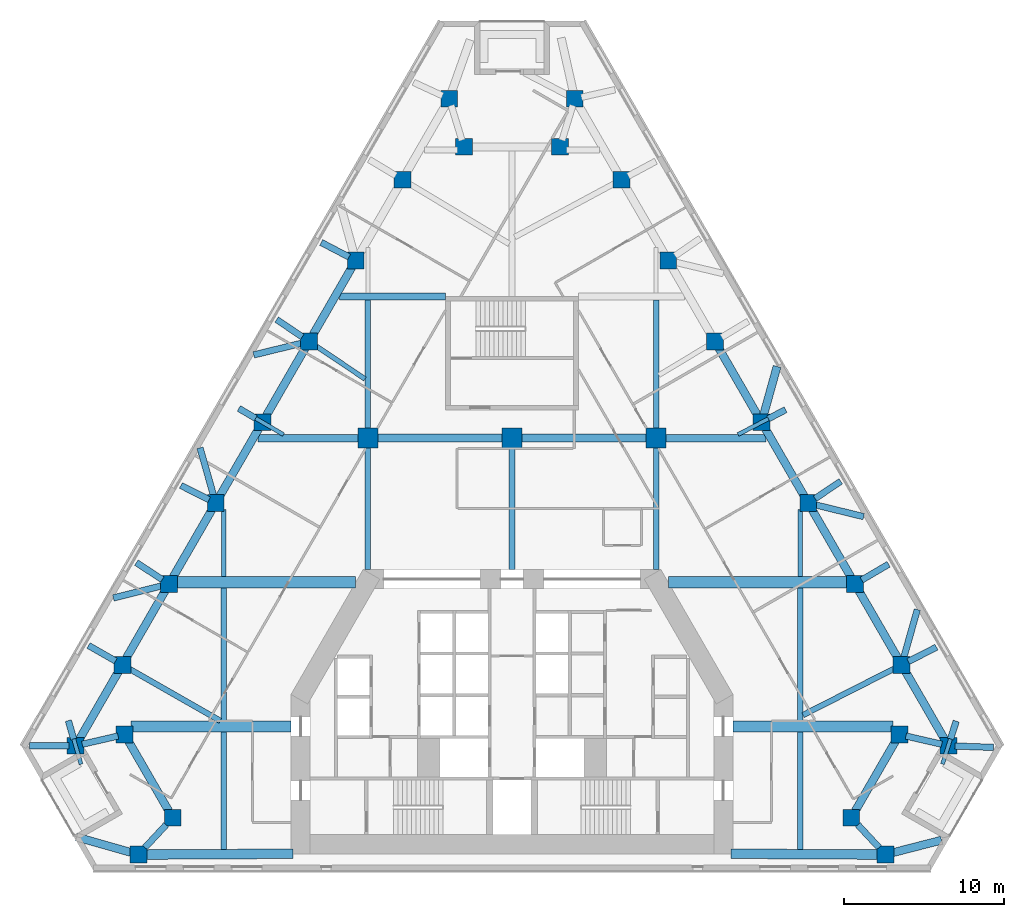
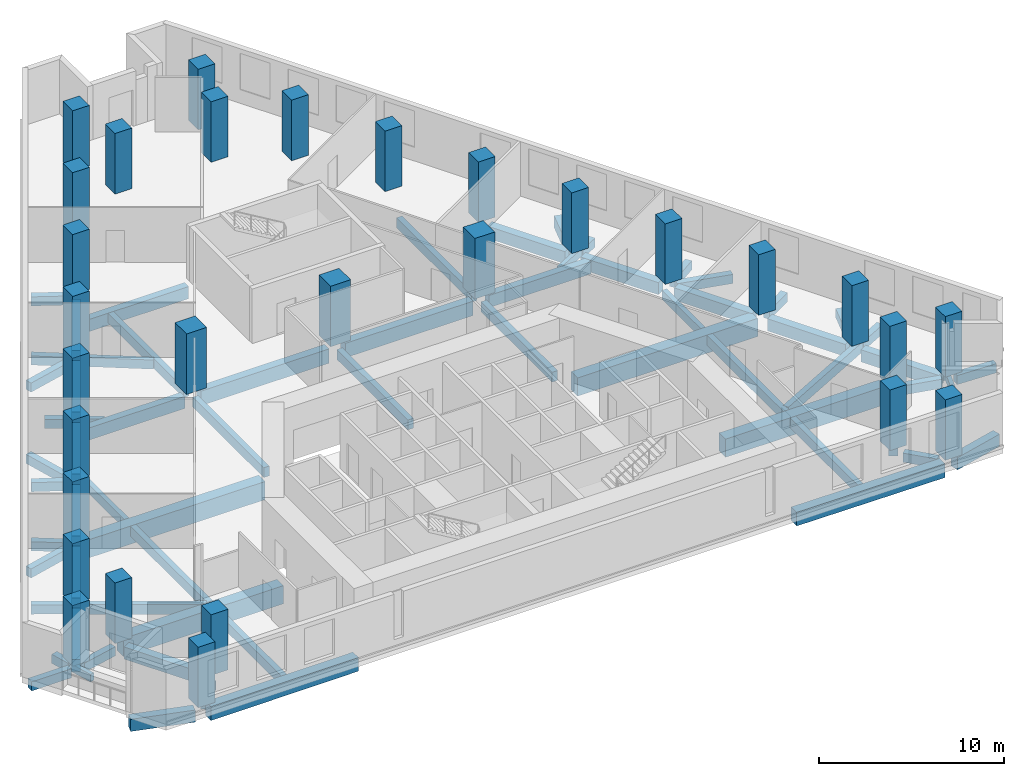
# One storey, part 1 of 9: 68 beams, 29 columns.
"""IFC4 building model written with IfcOpenShell, lengths in metres."""

import ifcopenshell
import ifcopenshell.guid

model = None  # the IFC model being written
_history = None  # IfcOwnerHistory: only IFC2X3 demands one
_inside = {}  # id of a spatial element -> (the spatial element, [elements in it])
_under = {}  # id of a project, library or spatial element -> (it, [spatial elements below it])
_declared = {}  # id of a project -> (the project, [libraries it declares])
_typed = {}  # id of a type object -> (the type object, [elements of that type])
_made_of = {}  # id of a material, layer set ... -> (it, [elements and type objects made of it])


def new_model(schema):
    """Start an empty IFC model of exactly this schema.

    Asked for "IFC4X3", IfcOpenShell would pick the latest addendum, in which some entities
    have other attributes; the version numbers below select the first issue.
    IFC2X3 requires an IfcOwnerHistory on every rooted entity: one is made here for all.
    """
    global model, _history
    if schema == "IFC4X3":
        model = ifcopenshell.file(schema_version=(4, 3, 0, 0))
    else:
        model = ifcopenshell.file(schema=schema)
    _inside.clear()
    _under.clear()
    _declared.clear()
    _typed.clear()
    _made_of.clear()
    _history = None
    if model.schema == "IFC2X3":
        org = make("IfcOrganization", Name="unknown")
        user = make(
            "IfcPersonAndOrganization",
            ThePerson=make("IfcPerson", FamilyName="unknown"),
            TheOrganization=org,
        )
        app = make(
            "IfcApplication",
            ApplicationDeveloper=org,
            Version="unknown",
            ApplicationFullName="unknown",
            ApplicationIdentifier="unknown",
        )
        _history = make(
            "IfcOwnerHistory",
            OwningUser=user,
            OwningApplication=app,
            ChangeAction="ADDED",
            CreationDate=0,
        )
    return model


def make(cls, **values):
    """One entity of the class cls with the attributes given. An attribute that is None is left unset."""
    return model.create_entity(
        cls, **{name: value for name, value in values.items() if value is not None}
    )


def rooted(cls, **values):
    """An entity with a GlobalId (a new one), such as an element, a storey or a relation."""
    return make(cls, GlobalId=ifcopenshell.guid.new(), OwnerHistory=_history, **values)


def si_unit(unit_type, name, prefix=None):
    """IfcSIUnit, for example si_unit("LENGTHUNIT", "METRE", prefix="MILLI")."""
    return make("IfcSIUnit", UnitType=unit_type, Prefix=prefix, Name=name)


def assignment(units):
    """IfcUnitAssignment: the units of a project."""
    return None if units is None else make("IfcUnitAssignment", Units=units)


def point(xyz):
    """IfcCartesianPoint."""
    return None if xyz is None else make("IfcCartesianPoint", Coordinates=xyz)


def direction(xyz):
    """IfcDirection."""
    return None if xyz is None else make("IfcDirection", DirectionRatios=xyz)


def frame(location, z_axis=None, x_axis=None):
    """IfcAxis2Placement3D, a coordinate frame: its origin and axes. An axis left out is left unset."""
    return make(
        "IfcAxis2Placement3D",
        Location=point(location),
        Axis=direction(z_axis),
        RefDirection=direction(x_axis),
    )


def frame_2d(location, x_axis=None):
    """IfcAxis2Placement2D, a coordinate frame in the plane: its origin and x axis."""
    return make(
        "IfcAxis2Placement2D", Location=point(location), RefDirection=direction(x_axis)
    )


def origin():
    """The frame at (0, 0, 0) with its axes left unset."""
    return frame((0.0, 0.0, 0.0))


def origin_2d():
    """The frame at (0, 0) in the plane with its x axis left unset."""
    return frame_2d((0.0, 0.0))


def place(relative_to, where):
    """IfcLocalPlacement: puts the frame where relative to a parent placement (None: the world)."""
    return make(
        "IfcLocalPlacement", PlacementRelTo=relative_to, RelativePlacement=where
    )


def context(
    kind, dimensions, precision=None, world=None, true_north=None, identifier=None
):
    """IfcGeometricRepresentationContext, for example the 3D "Model" context."""
    return make(
        "IfcGeometricRepresentationContext",
        ContextIdentifier=identifier,
        ContextType=kind,
        CoordinateSpaceDimension=dimensions,
        Precision=precision,
        WorldCoordinateSystem=world,
        TrueNorth=true_north,
    )


def subcontext(parent, identifier, kind, view, scale=None):
    """IfcGeometricRepresentationSubContext, for example "Body" below "Model"."""
    return make(
        "IfcGeometricRepresentationSubContext",
        ContextIdentifier=identifier,
        ContextType=kind,
        ParentContext=parent,
        TargetScale=scale,
        TargetView=view,
    )


def project(units=None, contexts=None):
    """IfcProject with its units and contexts."""
    return rooted(
        "IfcProject",
        Name="project",
        RepresentationContexts=contexts,
        UnitsInContext=assignment(units),
    )


def spatial(cls, under=None, at=None, **own):
    """A site, building, storey or space (cls), placed at a placement, below another one or the project."""
    s = rooted(cls, ObjectPlacement=at, **own)
    if under is not None:
        _under.setdefault(under.id(), (under, []))[1].append(s)
    return s


def profile(cls, at=None, kind="AREA", **sizes):
    """A parametric profile (cls). Its sizes go by their IFC names, for example OverallWidth=200.0."""
    return make(cls, ProfileType=kind, Position=at, **sizes)


def rectangle(**sizes):
    """IfcRectangleProfileDef."""
    return profile("IfcRectangleProfileDef", **sizes)


def extrude(swept, where, along, depth):
    """IfcExtrudedAreaSolid: the profile swept, set in the frame where, extruded along a direction by depth."""
    return make(
        "IfcExtrudedAreaSolid",
        SweptArea=swept,
        Position=where,
        ExtrudedDirection=direction(along),
        Depth=depth,
    )


def shape(context_of_items, identifier, shape_type, items):
    """IfcShapeRepresentation: the items that make up one representation, for example the "Body"."""
    return make(
        "IfcShapeRepresentation",
        ContextOfItems=context_of_items,
        RepresentationIdentifier=identifier,
        RepresentationType=shape_type,
        Items=items,
    )


def material(Name=None, Category=None):
    """IfcMaterial."""
    return make("IfcMaterial", Name=Name, Category=Category)


def material_profile(
    of_material, cross_section, Name=None, Category=None, Priority=None
):
    """IfcMaterialProfile: a cross section and its material."""
    return make(
        "IfcMaterialProfile",
        Name=Name,
        Material=of_material,
        Profile=cross_section,
        Priority=Priority,
        Category=Category,
    )


def profile_set(profiles, Name=None, composite=None):
    """IfcMaterialProfileSet."""
    return make(
        "IfcMaterialProfileSet",
        Name=Name,
        MaterialProfiles=profiles,
        CompositeProfile=composite,
    )


def made_of(thing, what):
    """Note that an element or type object is made of a material, layer set ...; save() writes the relation."""
    if what is not None:
        _made_of.setdefault(what.id(), (what, []))[1].append(thing)
    return thing


def type_object(cls, material=None, **own):
    """A type object (cls), such as IfcWallType, which elements share."""
    return made_of(rooted(cls, **own), material)


def element(
    cls,
    number,
    at=None,
    inside=None,
    cuts=None,
    type_object=None,
    material=None,
    context=None,
    identifier="Body",
    shape_type=None,
    held_by="IfcProductDefinitionShape",
    body=None,
    shapes=None,
    **own,
):
    """One element of the class cls, such as IfcWall. Its Tag is "e" and its number.

    at: its placement. inside: the storey or other place that contains it. cuts: it is an
    opening in that element (IfcRelVoidsElement). A single representation is given by context,
    identifier, shape_type and body (its items); several are given by shapes. held_by: the class
    of the entity that holds the representations. save() writes the other relations.
    """
    e = rooted(cls, Tag="e%d" % number, ObjectPlacement=at, **own)
    if body is not None:
        shapes = [shape(context, identifier, shape_type, body)]
    if shapes is not None:
        e.Representation = make(held_by, Representations=shapes)
    if inside is not None:
        _inside.setdefault(inside.id(), (inside, []))[1].append(e)
    if cuts is not None:
        rooted(
            "IfcRelVoidsElement", RelatingBuildingElement=cuts, RelatedOpeningElement=e
        )
    if type_object is not None:
        _typed.setdefault(type_object.id(), (type_object, []))[1].append(e)
    return made_of(e, material)


def aggregate(whole, parts):
    """IfcRelAggregates: a whole, such as a stair, and the parts it consists of."""
    return rooted("IfcRelAggregates", RelatingObject=whole, RelatedObjects=parts)


def save(model, path):
    """Write the relations noted so far, then the file.

    IfcRelAggregates (storeys below a building ...), IfcRelContainedInSpatialStructure (elements
    in a storey), IfcRelDefinesByType, IfcRelAssociatesMaterial and IfcRelDeclares: one each for
    every whole, place, type object, material and project.
    """
    for whole, parts in _under.values():
        aggregate(whole, parts)
    for where, things in _inside.values():
        rooted(
            "IfcRelContainedInSpatialStructure",
            RelatedElements=things,
            RelatingStructure=where,
        )
    for kind, things in _typed.values():
        rooted("IfcRelDefinesByType", RelatedObjects=things, RelatingType=kind)
    for what, things in _made_of.values():
        rooted("IfcRelAssociatesMaterial", RelatedObjects=things, RelatingMaterial=what)
    for by, libraries in _declared.values():
        rooted("IfcRelDeclares", RelatingContext=by, RelatedDefinitions=libraries)
    model.write(path)


model = new_model("IFC4")

# Units and contexts
model_context = context("Model", 3, precision=1e-05, world=origin(), true_north=direction((0.0, 1.0)))
body_context = subcontext(model_context, "Body", "Model", "MODEL_VIEW")
ifc_project = project(units=[si_unit("LENGTHUNIT", "METRE"), si_unit("AREAUNIT", "SQUARE_METRE"), si_unit("VOLUMEUNIT", "CUBIC_METRE"), si_unit("PLANEANGLEUNIT", "RADIAN"), si_unit("MASSUNIT", "GRAM", prefix="KILO")], contexts=[model_context])

# Site, building, storey
site_placement = place(None, origin())
site = spatial("IfcSite", under=ifc_project, at=site_placement, CompositionType="ELEMENT")
building_placement = place(site_placement, origin())
building = spatial("IfcBuilding", under=site, at=building_placement, Name="Fogline Exchange Tower", CompositionType="ELEMENT")
storey_placement = place(building_placement, frame((0.0, 0.0, 100.10009765625)))
storey = spatial("IfcBuildingStorey", under=building, at=storey_placement, Name="L21", CompositionType="ELEMENT", Elevation=100.10009765625)

# Columns
ifc_material_1 = material(Name="Concrete C70", Category="concrete")
ifc_material_profile_1 = material_profile(ifc_material_1, rectangle(XDim=1.25, YDim=1.25, at=origin_2d()), Name="RC 1250x1250")
ifc_profile_set_1 = profile_set([ifc_material_profile_1], Name="Concrete C70")
column_type_1 = type_object("IfcColumnType", Name="C03", PredefinedType="COLUMN", material=ifc_profile_set_1)
for number, where, z_axis, x_axis, name in (
    (1, (-9.0, 27.0, 0.0), (0.0, 0.0, 1.0), (1.0, 0.0, 0.0), "IC--9-27"),
    (2, (0.0, 27.0, 0.0), (0.0, 0.0, 1.0), (1.0, 0.0, 0.0), "IC-0-27"),
    (3, (9.0, 27.0, 0.0), (0.0, 0.0, 1.0), (1.0, 0.0, 0.0), "IC-9-27"),
):
    element("IfcColumn", number, at=place(storey_placement, frame(where, z_axis=z_axis, x_axis=x_axis)), inside=storey, type_object=column_type_1, Name=name, PredefinedType="COLUMN", context=body_context, shape_type="SweptSolid", body=[
        extrude(rectangle(XDim=1.25, YDim=1.25, at=origin_2d()), origin(), (0.0, 0.0, 1.0), 4.0),
    ])
ifc_material_profile_2 = material_profile(ifc_material_1, rectangle(XDim=1.050048828125, YDim=1.050048828125, at=origin_2d()), Name="RC 1050x1050")
ifc_profile_set_2 = profile_set([ifc_material_profile_2], Name="Concrete C70")
column_type_2 = type_object("IfcColumnType", Name="C04", PredefinedType="COLUMN", material=ifc_profile_set_2)
for number, where, z_axis, x_axis, name in (
    (4, (-27.2490234375, 7.794189453125, 0.0), (0.0, 0.0, 1.0), (1.0, 0.0, 0.0), "SW-a"),
    (5, (-24.189697265625, 8.4951171875, 0.0), (0.0, 0.0, 1.0), (1.0, 0.0, 0.0), "SW-p4"),
    (6, (-21.189697265625, 3.299072265625, 0.0), (0.0, 0.0, 1.0), (1.0, 0.0, 0.0), "SW-p3"),
    (7, (-23.326416015625, 1.0, 0.0), (0.0, 0.0, 1.0), (1.0, 0.0, 0.0), "SW-b"),
    (8, (23.326416015625, 1.0, 0.0), (0.0, 0.0, 1.0), (1.0, 0.0, 0.0), "SE-a"),
    (9, (21.189697265625, 3.299072265625, 0.0), (0.0, 0.0, 1.0), (1.0, 0.0, 0.0), "SE-p4"),
    (10, (24.189697265625, 8.4951171875, 0.0), (0.0, 0.0, 1.0), (1.0, 0.0, 0.0), "SE-p3"),
    (11, (27.2490234375, 7.794189453125, 0.0), (0.0, 0.0, 1.0), (1.0, 0.0, 0.0), "SE-b"),
    (12, (24.333251953125, 12.844482421875, 0.0), (0.0, 0.0, 1.0), (1.0, 0.0, 0.0), "E1"),
    (13, (21.41748046875, 17.894775390625, 0.0), (0.0, 0.0, 1.0), (1.0, 0.0, 0.0), "E2"),
    (14, (18.501708984375, 22.945068359375, 0.0), (0.0, 0.0, 1.0), (1.0, 0.0, 0.0), "E3"),
    (15, (15.585693359375, 27.995361328125, 0.0), (0.0, 0.0, 1.0), (1.0, 0.0, 0.0), "E4"),
    (16, (12.669921875, 33.045654296875, 0.0), (0.0, 0.0, 1.0), (1.0, 0.0, 0.0), "E5"),
    (17, (9.754150390625, 38.095947265625, 0.0), (0.0, 0.0, 1.0), (1.0, 0.0, 0.0), "E6"),
    (18, (6.83837890625, 43.146240234375, 0.0), (0.0, 0.0, 1.0), (1.0, 0.0, 0.0), "E7"),
    (19, (3.922607421875, 48.19677734375, 0.0), (0.0, 0.0, 1.0), (1.0, 0.0, 0.0), "N-a"),
    (20, (3.0, 45.19677734375, 0.0), (0.0, 0.0, 1.0), (1.0, 0.0, 0.0), "N-p4"),
    (21, (-3.0, 45.19677734375, 0.0), (0.0, 0.0, 1.0), (1.0, 0.0, 0.0), "N-p3"),
    (22, (-3.922607421875, 48.19677734375, 0.0), (0.0, 0.0, 1.0), (1.0, 0.0, 0.0), "N-b"),
    (23, (-6.83837890625, 43.146240234375, 0.0), (0.0, 0.0, 1.0), (1.0, 0.0, 0.0), "W1"),
    (24, (-9.754150390625, 38.095947265625, 0.0), (0.0, 0.0, 1.0), (1.0, 0.0, 0.0), "W2"),
    (25, (-12.669921875, 33.045654296875, 0.0), (0.0, 0.0, 1.0), (1.0, 0.0, 0.0), "W3"),
    (26, (-15.585693359375, 27.995361328125, 0.0), (0.0, 0.0, 1.0), (1.0, 0.0, 0.0), "W4"),
    (27, (-18.501708984375, 22.945068359375, 0.0), (0.0, 0.0, 1.0), (1.0, 0.0, 0.0), "W5"),
    (28, (-21.41748046875, 17.894775390625, 0.0), (0.0, 0.0, 1.0), (1.0, 0.0, 0.0), "W6"),
    (29, (-24.333251953125, 12.844482421875, 0.0), (0.0, 0.0, 1.0), (1.0, 0.0, 0.0), "W7"),
):
    element("IfcColumn", number, at=place(storey_placement, frame(where, z_axis=z_axis, x_axis=x_axis)), inside=storey, type_object=column_type_2, Name=name, PredefinedType="COLUMN", context=body_context, shape_type="SweptSolid", body=[
        extrude(rectangle(XDim=1.050048828125, YDim=1.050048828125, at=origin_2d()), origin(), (0.0, 0.0, 1.0), 4.0),
    ])

# Beams
ifc_material_2 = material(Name="Concrete C40", Category="concrete")
ifc_material_profile_3 = material_profile(ifc_material_2, rectangle(XDim=0.300048828125, YDim=0.60009765625, at=origin_2d()), Name="RC 300x600")
ifc_profile_set_3 = profile_set([ifc_material_profile_3], Name="Concrete C40")
beam_type_1 = type_object("IfcBeamType", Name="B06", PredefinedType="BEAM", material=ifc_profile_set_3)
for number, where, z_axis, x_axis, name in (
    (30, (-18.0, 18.35009765625, -0.7001953125), (0.0, 1.0, 0.0), (-1.0, 0.0, 0.0), "SB003"),
    (31, (18.0, 18.35009765625, -0.7001953125), (0.0, 1.0, 0.0), (-1.0, 0.0, 0.0), "SB014"),
):
    element("IfcBeam", number, at=place(storey_placement, frame(where, z_axis=z_axis, x_axis=x_axis)), inside=storey, type_object=beam_type_1, Name=name, PredefinedType="BEAM", context=body_context, shape_type="SweptSolid", body=[
        extrude(rectangle(XDim=0.300048828125, YDim=0.60009765625, at=origin_2d()), origin(), (0.0, 0.0, 1.0), 4.18994140625),
    ])
beam_1_placement = place(storey_placement, frame((-13.195068359375, 33.39794921875, -0.7001953125), z_axis=(0.830401800017, -0.557165011939, 0.0), x_axis=(0.557165011939, 0.830401800017, 0.0)))
element("IfcBeam", 32, at=beam_1_placement, inside=storey, type_object=beam_type_1, Name="SK022", PredefinedType="BEAM", context=body_context, shape_type="SweptSolid", body=[
    extrude(rectangle(XDim=0.300048828125, YDim=0.60009765625, at=origin_2d()), origin(), (0.0, 0.0, 1.0), 4.841064453125),
])
ifc_material_profile_4 = material_profile(ifc_material_2, rectangle(XDim=0.25, YDim=0.5, at=origin_2d()), Name="RC 250x500")
ifc_profile_set_4 = profile_set([ifc_material_profile_4], Name="Concrete C40")
beam_type_2 = type_object("IfcBeamType", Name="B08", PredefinedType="BEAM", material=ifc_profile_set_4)
beam_2_placement = place(storey_placement, frame((-16.11083984375, 28.30322265625, -0.650146484375), z_axis=(0.8626635068, -0.505778285453, 0.0), x_axis=(0.505778285453, 0.8626635068, 0.0)))
element("IfcBeam", 33, at=beam_2_placement, inside=storey, type_object=beam_type_2, Name="SK016", PredefinedType="BEAM", context=body_context, shape_type="SweptSolid", body=[
    extrude(rectangle(XDim=0.25, YDim=0.5, at=origin_2d()), origin(), (0.0, 0.0, 1.0), 2.131591796875),
])
beam_3_placement = place(storey_placement, frame((16.11083984375, 28.27001953125, -0.650146484375), z_axis=(-0.886159772529, -0.463379819966, 0.0), x_axis=(0.463379819966, -0.886159772529, 0.0)))
element("IfcBeam", 34, at=beam_3_placement, inside=storey, type_object=beam_type_2, Name="SK020", PredefinedType="BEAM", context=body_context, shape_type="SweptSolid", body=[
    extrude(rectangle(XDim=0.25, YDim=0.5, at=origin_2d()), origin(), (0.0, 0.0, 1.0), 2.2548828125),
])
beam_4_placement = place(storey_placement, frame((-27.372314453125, 8.218505859375, -0.650146484375), z_axis=(0.279229948212, -0.9602242634, 0.0), x_axis=(0.9602242634, 0.279229948212, 0.0)))
element("IfcBeam", 35, at=beam_4_placement, inside=storey, type_object=beam_type_2, Name="SK023", PredefinedType="BEAM", context=body_context, shape_type="SweptSolid", body=[
    extrude(rectangle(XDim=0.25, YDim=0.5, at=origin_2d()), origin(), (0.0, 0.0, 1.0), 1.643798828125),
])
beam_5_placement = place(storey_placement, frame((27.385009765625, 8.220703125, -0.650146484375), z_axis=(-0.304008781424, -0.95266922949, 0.0), x_axis=(0.95266922949, -0.304008781424, 0.0)))
element("IfcBeam", 36, at=beam_5_placement, inside=storey, type_object=beam_type_2, Name="SK024", PredefinedType="BEAM", context=body_context, shape_type="SweptSolid", body=[
    extrude(rectangle(XDim=0.25, YDim=0.5, at=origin_2d()), origin(), (0.0, 0.0, 1.0), 1.65185546875),
])
ifc_material_profile_5 = material_profile(ifc_material_2, rectangle(XDim=0.60009765625, YDim=0.89990234375, at=origin_2d()), Name="RC 600x900")
ifc_profile_set_5 = profile_set([ifc_material_profile_5], Name="Concrete C40")
beam_type_3 = type_object("IfcBeamType", Name="B09", PredefinedType="BEAM", material=ifc_profile_set_5)
for number, where, z_axis, x_axis, name in (
    (37, (-22.92138671875, 0.998779296875, -0.85009765625), (0.999984168638, 0.005626941799, 0.0), (-0.005626941799, 0.999984168638, 0.0), "RB004"),
    (38, (13.679931640625, 1.05078125, -0.85009765625), (0.999984464538, -0.005574108314, 0.0), (0.005574108314, 0.999984464538, 0.0), "RB005"),
):
    element("IfcBeam", number, at=place(storey_placement, frame(where, z_axis=z_axis, x_axis=x_axis)), inside=storey, type_object=beam_type_3, Name=name, PredefinedType="BEAM", context=body_context, shape_type="SweptSolid", body=[
        extrude(rectangle(XDim=0.60009765625, YDim=0.89990234375, at=origin_2d()), origin(), (0.0, 0.0, 1.0), 9.24169921875),
    ])
ifc_material_profile_6 = material_profile(ifc_material_2, rectangle(XDim=0.5, YDim=0.800048828125, at=origin_2d()), Name="RC 500x800")
ifc_profile_set_6 = profile_set([ifc_material_profile_6], Name="Concrete C40")
beam_type_4 = type_object("IfcBeamType", Name="B10", PredefinedType="BEAM", material=ifc_profile_set_6)
for number, where, z_axis, x_axis, name in (
    (39, (-23.946533203125, 8.07421875, -0.800048828125), (0.500019495363, -0.866014147839, 0.0), (0.866014147839, 0.500019495363, 0.0), "RB002"),
    (40, (21.4326171875, 3.72021484375, -0.800048828125), (0.500019495363, 0.866014147839, 0.0), (-0.866014147839, 0.500019495363, 0.0), "RB007"),
):
    element("IfcBeam", number, at=place(storey_placement, frame(where, z_axis=z_axis, x_axis=x_axis)), inside=storey, type_object=beam_type_4, Name=name, PredefinedType="BEAM", context=body_context, shape_type="SweptSolid", body=[
        extrude(rectangle(XDim=0.5, YDim=0.800048828125, at=origin_2d()), origin(), (0.0, 0.0, 1.0), 5.027587890625),
    ])
beam_6_placement = place(storey_placement, frame((27.005859375, 8.21533203125, -0.800048828125), z_axis=(-0.499970359091, 0.866042516295, 0.0), x_axis=(-0.866042516295, -0.499970359091, 0.0)))
element("IfcBeam", 41, at=beam_6_placement, inside=storey, type_object=beam_type_4, Name="RB009", PredefinedType="BEAM", context=body_context, shape_type="SweptSolid", body=[
    extrude(rectangle(XDim=0.5, YDim=0.800048828125, at=origin_2d()), origin(), (0.0, 0.0, 1.0), 4.859130859375),
])
for number, where, z_axis, x_axis, name in (
    (42, (24.090087890625, 13.265625, -0.800048828125), (-0.500008041581, 0.866020760926, 0.0), (-0.866020760926, -0.500008041581, 0.0), "RB010"),
    (43, (21.17431640625, 18.31591796875, -0.800048828125), (-0.500008041581, 0.866020760926, 0.0), (-0.866020760926, -0.500008041581, 0.0), "RB011"),
    (44, (18.258544921875, 23.3662109375, -0.800048828125), (-0.500008041581, 0.866020760926, 0.0), (-0.866020760926, -0.500008041581, 0.0), "RB012"),
    (45, (15.3427734375, 28.41650390625, -0.800048828125), (-0.500008041581, 0.866020760926, 0.0), (-0.866020760926, -0.500008041581, 0.0), "RB013"),
    (46, (-9.997314453125, 37.675048828125, -0.800048828125), (-0.500008041581, -0.866020760926, 0.0), (0.866020760926, -0.500008041581, 0.0), "RB022"),
    (47, (-12.9130859375, 32.624755859375, -0.800048828125), (-0.500008041581, -0.866020760926, 0.0), (0.866020760926, -0.500008041581, 0.0), "RB023"),
    (48, (-15.828857421875, 27.574462890625, -0.800048828125), (-0.500008041581, -0.866020760926, 0.0), (0.866020760926, -0.500008041581, 0.0), "RB024"),
    (49, (-18.74462890625, 22.524169921875, -0.800048828125), (-0.500008041581, -0.866020760926, 0.0), (0.866020760926, -0.500008041581, 0.0), "RB025"),
    (50, (-21.660400390625, 17.473876953125, -0.800048828125), (-0.500008041581, -0.866020760926, 0.0), (0.866020760926, -0.500008041581, 0.0), "RB026"),
):
    element("IfcBeam", number, at=place(storey_placement, frame(where, z_axis=z_axis, x_axis=x_axis)), inside=storey, type_object=beam_type_4, Name=name, PredefinedType="BEAM", context=body_context, shape_type="SweptSolid", body=[
        extrude(rectangle(XDim=0.5, YDim=0.800048828125, at=origin_2d()), origin(), (0.0, 0.0, 1.0), 4.859375),
    ])
beam_7_placement = place(storey_placement, frame((-24.576416015625, 12.423583984375, -0.800048828125), z_axis=(-0.499970359091, -0.866042516295, 0.0), x_axis=(0.866042516295, -0.499970359091, 0.0)))
element("IfcBeam", 51, at=beam_7_placement, inside=storey, type_object=beam_type_4, Name="RB027", PredefinedType="BEAM", context=body_context, shape_type="SweptSolid", body=[
    extrude(rectangle(XDim=0.5, YDim=0.800048828125, at=origin_2d()), origin(), (0.0, 0.0, 1.0), 4.859130859375),
])
beam_8_placement = place(storey_placement, frame((-23.73583984375, 1.115966796875, -0.800048828125), z_axis=(-0.962158744205, 0.272489542828, 0.0), x_axis=(-0.272489542828, -0.962158744205, 0.0)))
element("IfcBeam", 52, at=beam_8_placement, inside=storey, type_object=beam_type_4, Name="SP030", PredefinedType="BEAM", context=body_context, shape_type="SweptSolid", body=[
    extrude(rectangle(XDim=0.5, YDim=0.800048828125, at=origin_2d()), origin(), (0.0, 0.0, 1.0), 3.59912109375),
])
beam_9_placement = place(storey_placement, frame((23.735107421875, 1.105224609375, -0.800048828125), z_axis=(0.968471290959, 0.24912518658, 0.0), x_axis=(-0.24912518658, 0.968471290959, 0.0)))
element("IfcBeam", 53, at=beam_9_placement, inside=storey, type_object=beam_type_4, Name="SP031", PredefinedType="BEAM", context=body_context, shape_type="SweptSolid", body=[
    extrude(rectangle(XDim=0.5, YDim=0.800048828125, at=origin_2d()), origin(), (0.0, 0.0, 1.0), 3.18798828125),
])
beam_10_placement = place(storey_placement, frame((15.699462890625, 28.40478515625, -0.800048828125), z_axis=(0.267584631836, 0.963534360988, 0.0), x_axis=(-0.963534360988, 0.267584631836, 0.0)))
element("IfcBeam", 54, at=beam_10_placement, inside=storey, type_object=beam_type_4, Name="SP059", PredefinedType="BEAM", context=body_context, shape_type="SweptSolid", body=[
    extrude(rectangle(XDim=0.5, YDim=0.800048828125, at=origin_2d()), origin(), (0.0, 0.0, 1.0), 3.188720703125),
])
ifc_material_profile_7 = material_profile(ifc_material_2, rectangle(XDim=0.39990234375, YDim=0.60009765625, at=origin_2d()), Name="RC 400x600")
ifc_profile_set_7 = profile_set([ifc_material_profile_7], Name="Concrete C40")
beam_type_5 = type_object("IfcBeamType", Name="B11", PredefinedType="BEAM", material=ifc_profile_set_7)
beam_11_placement = place(storey_placement, frame((-26.841064453125, 7.8876953125, -0.7001953125), z_axis=(0.974751081059, 0.223294267671, 0.0), x_axis=(-0.223294267671, 0.974751081059, 0.0)))
element("IfcBeam", 55, at=beam_11_placement, inside=storey, type_object=beam_type_5, Name="RB001", PredefinedType="BEAM", context=body_context, shape_type="SweptSolid", body=[
    extrude(rectangle(XDim=0.39990234375, YDim=0.60009765625, at=origin_2d()), origin(), (0.0, 0.0, 1.0), 2.301513671875),
])
for number, where, z_axis, x_axis, name in (
    (56, (-21.595703125, 2.86181640625, -0.7001953125), (-0.680845728707, -0.732426852117, 0.0), (0.732426852117, -0.680845728707, 0.0), "RB003"),
    (57, (22.920166015625, 1.43701171875, -0.7001953125), (-0.680845728707, 0.732426852117, 0.0), (-0.732426852117, -0.680845728707, 0.0), "RB006"),
):
    element("IfcBeam", number, at=place(storey_placement, frame(where, z_axis=z_axis, x_axis=x_axis)), inside=storey, type_object=beam_type_5, Name=name, PredefinedType="BEAM", context=body_context, shape_type="SweptSolid", body=[
        extrude(rectangle(XDim=0.39990234375, YDim=0.60009765625, at=origin_2d()), origin(), (0.0, 0.0, 1.0), 1.9453125),
    ])
beam_12_placement = place(storey_placement, frame((24.59765625, 8.401611328125, -0.7001953125), z_axis=(0.974751081059, -0.223294267671, 0.0), x_axis=(0.223294267671, 0.974751081059, 0.0)))
element("IfcBeam", 58, at=beam_12_placement, inside=storey, type_object=beam_type_5, Name="RB008", PredefinedType="BEAM", context=body_context, shape_type="SweptSolid", body=[
    extrude(rectangle(XDim=0.39990234375, YDim=0.60009765625, at=origin_2d()), origin(), (0.0, 0.0, 1.0), 2.301513671875),
])
beam_13_placement = place(storey_placement, frame((-27.654052734375, 7.794189453125, -0.7001953125), z_axis=(-1.0, 0.0, 0.0), x_axis=(0.0, -1.0, 0.0)))
element("IfcBeam", 59, at=beam_13_placement, inside=storey, type_object=beam_type_5, Name="SP032", PredefinedType="BEAM", context=body_context, shape_type="SweptSolid", body=[
    extrude(rectangle(XDim=0.39990234375, YDim=0.60009765625, at=origin_2d()), origin(), (0.0, 0.0, 1.0), 2.48388671875),
])
beam_14_placement = place(storey_placement, frame((27.654052734375, 7.779296875, -0.7001953125), z_axis=(0.999307612951, -0.037206111045, 0.0), x_axis=(0.037206111045, 0.999307612951, 0.0)))
element("IfcBeam", 60, at=beam_14_placement, inside=storey, type_object=beam_type_5, Name="SP033", PredefinedType="BEAM", context=body_context, shape_type="SweptSolid", body=[
    extrude(rectangle(XDim=0.39990234375, YDim=0.60009765625, at=origin_2d()), origin(), (0.0, 0.0, 1.0), 2.414794921875),
])
beam_15_placement = place(storey_placement, frame((-24.75390625, 13.084716796875, -0.7001953125), z_axis=(-0.868381750454, 0.495896295085, 0.0), x_axis=(-0.495896295085, -0.868381750454, 0.0)))
element("IfcBeam", 61, at=beam_15_placement, inside=storey, type_object=beam_type_5, Name="SP035", PredefinedType="BEAM", context=body_context, shape_type="SweptSolid", body=[
    extrude(rectangle(XDim=0.39990234375, YDim=0.60009765625, at=origin_2d()), origin(), (0.0, 0.0, 1.0), 1.95068359375),
])
beam_16_placement = place(storey_placement, frame((-16.00732421875, 28.24267578125, -0.7001953125), z_axis=(-0.862710012371, 0.505698956451, 0.0), x_axis=(-0.505698956451, -0.862710012371, 0.0)))
element("IfcBeam", 62, at=beam_16_placement, inside=storey, type_object=beam_type_5, Name="SP036", PredefinedType="BEAM", context=body_context, shape_type="SweptSolid", body=[
    extrude(rectangle(XDim=0.39990234375, YDim=0.60009765625, at=origin_2d()), origin(), (0.0, 0.0, 1.0), 1.219970703125),
])
beam_17_placement = place(storey_placement, frame((21.8388671875, 18.142333984375, -0.7001953125), z_axis=(0.862291946909, 0.506411491078, 0.0), x_axis=(-0.506411491078, 0.862291946909, 0.0)))
element("IfcBeam", 63, at=beam_17_placement, inside=storey, type_object=beam_type_5, Name="SP037", PredefinedType="BEAM", context=body_context, shape_type="SweptSolid", body=[
    extrude(rectangle(XDim=0.39990234375, YDim=0.60009765625, at=origin_2d()), origin(), (0.0, 0.0, 1.0), 1.9462890625),
])
beam_18_placement = place(storey_placement, frame((16.00439453125, 28.21435546875, -0.7001953125), z_axis=(0.886156359679, 0.463386346583, 0.0), x_axis=(-0.463386346583, 0.886156359679, 0.0)))
element("IfcBeam", 64, at=beam_18_placement, inside=storey, type_object=beam_type_5, Name="SP041", PredefinedType="BEAM", context=body_context, shape_type="SweptSolid", body=[
    extrude(rectangle(XDim=0.39990234375, YDim=0.60009765625, at=origin_2d()), origin(), (0.0, 0.0, 1.0), 1.22021484375),
])
beam_19_placement = place(storey_placement, frame((-10.1728515625, 38.314697265625, -0.7001953125), z_axis=(-0.886489579904, 0.462748554532, 0.0), x_axis=(-0.462748554532, -0.886489579904, 0.0)))
element("IfcBeam", 65, at=beam_19_placement, inside=storey, type_object=beam_type_5, Name="SP042", PredefinedType="BEAM", context=body_context, shape_type="SweptSolid", body=[
    extrude(rectangle(XDim=0.39990234375, YDim=0.60009765625, at=origin_2d()), origin(), (0.0, 0.0, 1.0), 1.96533203125),
])
beam_20_placement = place(storey_placement, frame((24.751220703125, 13.05712890625, -0.7001953125), z_axis=(0.891433491265, 0.453151553733, 0.0), x_axis=(-0.453151553733, 0.891433491265, 0.0)))
element("IfcBeam", 66, at=beam_20_placement, inside=storey, type_object=beam_type_5, Name="SP043", PredefinedType="BEAM", context=body_context, shape_type="SweptSolid", body=[
    extrude(rectangle(XDim=0.39990234375, YDim=0.60009765625, at=origin_2d()), origin(), (0.0, 0.0, 1.0), 1.97021484375),
])
beam_21_placement = place(storey_placement, frame((-18.919677734375, 23.1572265625, -0.7001953125), z_axis=(-0.891659844747, 0.452705998708, 0.0), x_axis=(-0.452705998708, -0.891659844747, 0.0)))
element("IfcBeam", 67, at=beam_21_placement, inside=storey, type_object=beam_type_5, Name="SP044", PredefinedType="BEAM", context=body_context, shape_type="SweptSolid", body=[
    extrude(rectangle(XDim=0.39990234375, YDim=0.60009765625, at=origin_2d()), origin(), (0.0, 0.0, 1.0), 1.970458984375),
])
beam_22_placement = place(storey_placement, frame((-21.842041015625, 18.172607421875, -0.7001953125), z_axis=(-0.83672467592, 0.547623791217, 0.0), x_axis=(-0.547623791217, -0.83672467592, 0.0)))
element("IfcBeam", 68, at=beam_22_placement, inside=storey, type_object=beam_type_5, Name="SP045", PredefinedType="BEAM", context=body_context, shape_type="SweptSolid", body=[
    extrude(rectangle(XDim=0.39990234375, YDim=0.60009765625, at=origin_2d()), origin(), (0.0, 0.0, 1.0), 1.93212890625),
])
beam_23_placement = place(storey_placement, frame((-13.095458984375, 33.3310546875, -0.7001953125), z_axis=(-0.83033321532, 0.557267217353, 0.0), x_axis=(-0.557267217353, -0.83033321532, 0.0)))
element("IfcBeam", 69, at=beam_23_placement, inside=storey, type_object=beam_type_5, Name="SP046", PredefinedType="BEAM", context=body_context, shape_type="SweptSolid", body=[
    extrude(rectangle(XDim=0.39990234375, YDim=0.60009765625, at=origin_2d()), origin(), (0.0, 0.0, 1.0), 1.929443359375),
])
beam_24_placement = place(storey_placement, frame((18.927001953125, 23.23095703125, -0.7001953125), z_axis=(0.830039531016, 0.557704560633, 0.0), x_axis=(-0.557704560633, 0.830039531016, 0.0)))
element("IfcBeam", 70, at=beam_24_placement, inside=storey, type_object=beam_type_5, Name="SP047", PredefinedType="BEAM", context=body_context, shape_type="SweptSolid", body=[
    extrude(rectangle(XDim=0.39990234375, YDim=0.60009765625, at=origin_2d()), origin(), (0.0, 0.0, 1.0), 1.92919921875),
])
beam_25_placement = place(storey_placement, frame((-27.3681640625, 8.2041015625, -0.7001953125), z_axis=(-0.279278763859, 0.96021006663, 0.0), x_axis=(-0.96021006663, -0.279278763859, 0.0)))
element("IfcBeam", 71, at=beam_25_placement, inside=storey, type_object=beam_type_5, Name="SP050", PredefinedType="BEAM", context=body_context, shape_type="SweptSolid", body=[
    extrude(rectangle(XDim=0.39990234375, YDim=0.60009765625, at=origin_2d()), origin(), (0.0, 0.0, 1.0), 1.208984375),
])
beam_26_placement = place(storey_placement, frame((27.380126953125, 8.204833984375, -0.7001953125), z_axis=(0.30402027351, 0.952665562144, 0.0), x_axis=(-0.952665562144, 0.30402027351, 0.0)))
element("IfcBeam", 72, at=beam_26_placement, inside=storey, type_object=beam_type_5, Name="SP051", PredefinedType="BEAM", context=body_context, shape_type="SweptSolid", body=[
    extrude(rectangle(XDim=0.39990234375, YDim=0.60009765625, at=origin_2d()), origin(), (0.0, 0.0, 1.0), 1.1845703125),
])
beam_27_placement = place(storey_placement, frame((24.449462890625, 13.254150390625, -0.7001953125), z_axis=(0.273294127819, 0.961930517085, 0.0), x_axis=(-0.961930517085, 0.273294127819, 0.0)))
element("IfcBeam", 73, at=beam_27_placement, inside=storey, type_object=beam_type_5, Name="SP052", PredefinedType="BEAM", context=body_context, shape_type="SweptSolid", body=[
    extrude(rectangle(XDim=0.39990234375, YDim=0.60009765625, at=origin_2d()), origin(), (0.0, 0.0, 1.0), 3.1640625),
])
beam_28_placement = place(storey_placement, frame((-21.825927734375, 17.79248046875, -0.7001953125), z_axis=(-0.970019803281, -0.243025885952, 0.0), x_axis=(0.243025885952, -0.970019803281, 0.0)))
element("IfcBeam", 74, at=beam_28_placement, inside=storey, type_object=beam_type_5, Name="SP053", PredefinedType="BEAM", context=body_context, shape_type="SweptSolid", body=[
    extrude(rectangle(XDim=0.39990234375, YDim=0.60009765625, at=origin_2d()), origin(), (0.0, 0.0, 1.0), 3.163330078125),
])
beam_29_placement = place(storey_placement, frame((18.909912109375, 22.845703125, -0.7001953125), z_axis=(0.971543911095, -0.236859512822, 0.0), x_axis=(0.236859512822, 0.971543911095, 0.0)))
element("IfcBeam", 75, at=beam_29_placement, inside=storey, type_object=beam_type_5, Name="SP055", PredefinedType="BEAM", context=body_context, shape_type="SweptSolid", body=[
    extrude(rectangle(XDim=0.39990234375, YDim=0.60009765625, at=origin_2d()), origin(), (0.0, 0.0, 1.0), 3.1396484375),
])
beam_30_placement = place(storey_placement, frame((-13.07861328125, 32.946044921875, -0.7001953125), z_axis=(-0.971445212169, -0.237263987479, 0.0), x_axis=(0.237263987479, -0.971445212169, 0.0)))
element("IfcBeam", 76, at=beam_30_placement, inside=storey, type_object=beam_type_5, Name="SP057", PredefinedType="BEAM", context=body_context, shape_type="SweptSolid", body=[
    extrude(rectangle(XDim=0.39990234375, YDim=0.60009765625, at=origin_2d()), origin(), (0.0, 0.0, 1.0), 3.140380859375),
])
beam_31_placement = place(storey_placement, frame((-18.6181640625, 23.354736328125, -0.7001953125), z_axis=(-0.273558719189, 0.961855304688, 0.0), x_axis=(-0.961855304688, -0.273558719189, 0.0)))
element("IfcBeam", 77, at=beam_31_placement, inside=storey, type_object=beam_type_5, Name="SP058", PredefinedType="BEAM", context=body_context, shape_type="SweptSolid", body=[
    extrude(rectangle(XDim=0.39990234375, YDim=0.60009765625, at=origin_2d()), origin(), (0.0, 0.0, 1.0), 3.162841796875),
])
ifc_material_profile_8 = material_profile(ifc_material_2, rectangle(XDim=0.5, YDim=0.949951171875, at=origin_2d()), Name="RC 500x950")
ifc_profile_set_8 = profile_set([ifc_material_profile_8], Name="Concrete C40")
beam_type_6 = type_object("IfcBeamType", Name="B14", PredefinedType="BEAM", material=ifc_profile_set_8)
for number, where, z_axis, x_axis, name in (
    (78, (-8.4951171875, 27.0, -0.875), (1.0, 0.0, 0.0), (0.0, 1.0, 0.0), "GB006"),
    (79, (0.5048828125, 27.0, -0.875), (1.0, 0.0, 0.0), (0.0, 1.0, 0.0), "GB007"),
):
    element("IfcBeam", number, at=place(storey_placement, frame(where, z_axis=z_axis, x_axis=x_axis)), inside=storey, type_object=beam_type_6, Name=name, PredefinedType="BEAM", context=body_context, shape_type="SweptSolid", body=[
        extrude(rectangle(XDim=0.5, YDim=0.949951171875, at=origin_2d()), origin(), (0.0, 0.0, 1.0), 7.990234375),
    ])
ifc_material_profile_9 = material_profile(ifc_material_2, rectangle(XDim=0.35009765625, YDim=0.64990234375, at=origin_2d()), Name="RC 350x650")
ifc_profile_set_9 = profile_set([ifc_material_profile_9], Name="Concrete C40")
beam_type_7 = type_object("IfcBeamType", Name="B16", PredefinedType="BEAM", material=ifc_profile_set_9)
beam_32_placement = place(storey_placement, frame((-18.0, 1.32763671875, -0.72509765625), z_axis=(0.0, 1.0, 0.0), x_axis=(-1.0, 0.0, 0.0)))
element("IfcBeam", 80, at=beam_32_placement, inside=storey, type_object=beam_type_7, Name="SB001", PredefinedType="BEAM", context=body_context, shape_type="SweptSolid", body=[
    extrude(rectangle(XDim=0.35009765625, YDim=0.64990234375, at=origin_2d()), origin(), (0.0, 0.0, 1.0), 7.322265625),
])
beam_33_placement = place(storey_placement, frame((-18.0, 9.35009765625, -0.72509765625), z_axis=(0.0, 1.0, 0.0), x_axis=(-1.0, 0.0, 0.0)))
element("IfcBeam", 81, at=beam_33_placement, inside=storey, type_object=beam_type_7, Name="SB002", PredefinedType="BEAM", context=body_context, shape_type="SweptSolid", body=[
    extrude(rectangle(XDim=0.35009765625, YDim=0.64990234375, at=origin_2d()), origin(), (0.0, 0.0, 1.0), 8.2998046875),
])
beam_34_placement = place(storey_placement, frame((-9.0, 18.800048828125, -0.72509765625), z_axis=(0.0, 1.0, 0.0), x_axis=(-1.0, 0.0, 0.0)))
element("IfcBeam", 82, at=beam_34_placement, inside=storey, type_object=beam_type_7, Name="SB004", PredefinedType="BEAM", context=body_context, shape_type="SweptSolid", body=[
    extrude(rectangle(XDim=0.35009765625, YDim=0.64990234375, at=origin_2d()), origin(), (0.0, 0.0, 1.0), 7.695068359375),
])
beam_35_placement = place(storey_placement, frame((-9.0, 27.5048828125, -0.72509765625), z_axis=(0.0, 1.0, 0.0), x_axis=(-1.0, 0.0, 0.0)))
element("IfcBeam", 83, at=beam_35_placement, inside=storey, type_object=beam_type_7, Name="SB005", PredefinedType="BEAM", context=body_context, shape_type="SweptSolid", body=[
    extrude(rectangle(XDim=0.35009765625, YDim=0.64990234375, at=origin_2d()), origin(), (0.0, 0.0, 1.0), 8.127197265625),
])
for number, where, z_axis, x_axis, name in (
    (84, (0.0, 18.800048828125, -0.72509765625), (0.0, 1.0, 0.0), (-1.0, 0.0, 0.0), "SB007"),
    (85, (9.0, 18.800048828125, -0.72509765625), (0.0, 1.0, 0.0), (-1.0, 0.0, 0.0), "SB009"),
):
    element("IfcBeam", number, at=place(storey_placement, frame(where, z_axis=z_axis, x_axis=x_axis)), inside=storey, type_object=beam_type_7, Name=name, PredefinedType="BEAM", context=body_context, shape_type="SweptSolid", body=[
        extrude(rectangle(XDim=0.35009765625, YDim=0.64990234375, at=origin_2d()), origin(), (0.0, 0.0, 1.0), 7.695068359375),
    ])
beam_36_placement = place(storey_placement, frame((9.0, 27.5048828125, -0.72509765625), z_axis=(0.0, 1.0, 0.0), x_axis=(-1.0, 0.0, 0.0)))
element("IfcBeam", 86, at=beam_36_placement, inside=storey, type_object=beam_type_7, Name="SB010", PredefinedType="BEAM", context=body_context, shape_type="SweptSolid", body=[
    extrude(rectangle(XDim=0.35009765625, YDim=0.64990234375, at=origin_2d()), origin(), (0.0, 0.0, 1.0), 8.127197265625),
])
beam_37_placement = place(storey_placement, frame((18.0, 1.327880859375, -0.72509765625), z_axis=(0.0, 1.0, 0.0), x_axis=(-1.0, 0.0, 0.0)))
element("IfcBeam", 87, at=beam_37_placement, inside=storey, type_object=beam_type_7, Name="SB012", PredefinedType="BEAM", context=body_context, shape_type="SweptSolid", body=[
    extrude(rectangle(XDim=0.35009765625, YDim=0.64990234375, at=origin_2d()), origin(), (0.0, 0.0, 1.0), 7.322021484375),
])
beam_38_placement = place(storey_placement, frame((18.0, 9.35009765625, -0.72509765625), z_axis=(0.0, 1.0, 0.0), x_axis=(-1.0, 0.0, 0.0)))
element("IfcBeam", 88, at=beam_38_placement, inside=storey, type_object=beam_type_7, Name="SB013", PredefinedType="BEAM", context=body_context, shape_type="SweptSolid", body=[
    extrude(rectangle(XDim=0.35009765625, YDim=0.64990234375, at=origin_2d()), origin(), (0.0, 0.0, 1.0), 8.2998046875),
])
beam_39_placement = place(storey_placement, frame((-24.858154296875, 13.144287109375, -0.72509765625), z_axis=(0.86838644813, -0.495888068726, 0.0), x_axis=(0.495888068726, 0.86838644813, 0.0)))
element("IfcBeam", 89, at=beam_39_placement, inside=storey, type_object=beam_type_7, Name="SK015", PredefinedType="BEAM", context=body_context, shape_type="SweptSolid", body=[
    extrude(rectangle(XDim=0.35009765625, YDim=0.64990234375, at=origin_2d()), origin(), (0.0, 0.0, 1.0), 7.6513671875),
])
beam_40_placement = place(storey_placement, frame((24.858154296875, 13.111572265625, -0.72509765625), z_axis=(-0.891398063146, -0.453221240698, 0.0), x_axis=(0.453221240698, -0.891398063146, 0.0)))
element("IfcBeam", 90, at=beam_40_placement, inside=storey, type_object=beam_type_7, Name="SK021", PredefinedType="BEAM", context=body_context, shape_type="SweptSolid", body=[
    extrude(rectangle(XDim=0.35009765625, YDim=0.64990234375, at=origin_2d()), origin(), (0.0, 0.0, 1.0), 7.497314453125),
])
ifc_material_profile_10 = material_profile(ifc_material_2, rectangle(XDim=0.699951171875, YDim=1.199951171875, at=origin_2d()), Name="RC 700x1200")
ifc_profile_set_10 = profile_set([ifc_material_profile_10], Name="Concrete C40")
beam_type_8 = type_object("IfcBeamType", Name="B17", PredefinedType="BEAM", material=ifc_profile_set_10)
for number, where, z_axis, x_axis, name in (
    (91, (-23.78466796875, 9.0, -1.0), (1.0, 0.0, 0.0), (0.0, 1.0, 0.0), "GB001"),
    (92, (13.800048828125, 9.0, -1.0), (1.0, 0.0, 0.0), (0.0, 1.0, 0.0), "GB002"),
):
    element("IfcBeam", number, at=place(storey_placement, frame(where, z_axis=z_axis, x_axis=x_axis)), inside=storey, type_object=beam_type_8, Name=name, PredefinedType="BEAM", context=body_context, shape_type="SweptSolid", body=[
        extrude(rectangle(XDim=0.699951171875, YDim=1.199951171875, at=origin_2d()), origin(), (0.0, 0.0, 1.0), 9.984619140625),
    ])
for number, where, z_axis, x_axis, name in (
    (93, (-21.012451171875, 18.0, -1.0), (1.0, 0.0, 0.0), (0.0, 1.0, 0.0), "GB003"),
    (94, (9.758056640625, 18.0, -1.0), (1.0, 0.0, 0.0), (0.0, 1.0, 0.0), "GB004"),
):
    element("IfcBeam", number, at=place(storey_placement, frame(where, z_axis=z_axis, x_axis=x_axis)), inside=storey, type_object=beam_type_8, Name=name, PredefinedType="BEAM", context=body_context, shape_type="SweptSolid", body=[
        extrude(rectangle(XDim=0.699951171875, YDim=1.199951171875, at=origin_2d()), origin(), (0.0, 0.0, 1.0), 11.25439453125),
    ])
ifc_material_profile_11 = material_profile(ifc_material_2, rectangle(XDim=0.449951171875, YDim=0.800048828125, at=origin_2d()), Name="RC 450x800")
ifc_profile_set_11 = profile_set([ifc_material_profile_11], Name="Concrete C40")
beam_type_9 = type_object("IfcBeamType", Name="B18", PredefinedType="BEAM", material=ifc_profile_set_11)
for number, where, z_axis, x_axis, name in (
    (95, (-15.871826171875, 27.0, -0.800048828125), (1.0, 0.0, 0.0), (0.0, 1.0, 0.0), "GB005"),
    (96, (9.5048828125, 27.0, -0.800048828125), (1.0, 0.0, 0.0), (0.0, 1.0, 0.0), "GB008"),
):
    element("IfcBeam", number, at=place(storey_placement, frame(where, z_axis=z_axis, x_axis=x_axis)), inside=storey, type_object=beam_type_9, Name=name, PredefinedType="BEAM", context=body_context, shape_type="SweptSolid", body=[
        extrude(rectangle(XDim=0.449951171875, YDim=0.800048828125, at=origin_2d()), origin(), (0.0, 0.0, 1.0), 6.366943359375),
    ])
beam_41_placement = place(storey_placement, frame((-10.75830078125, 35.85693359375, -0.800048828125), z_axis=(1.0, 0.0, 0.0), x_axis=(0.0, 1.0, 0.0)))
element("IfcBeam", 97, at=beam_41_placement, inside=storey, type_object=beam_type_9, Name="GB009", PredefinedType="BEAM", context=body_context, shape_type="SweptSolid", body=[
    extrude(rectangle(XDim=0.449951171875, YDim=0.800048828125, at=origin_2d()), origin(), (0.0, 0.0, 1.0), 6.6083984375),
])

save(model, "model.ifc")
